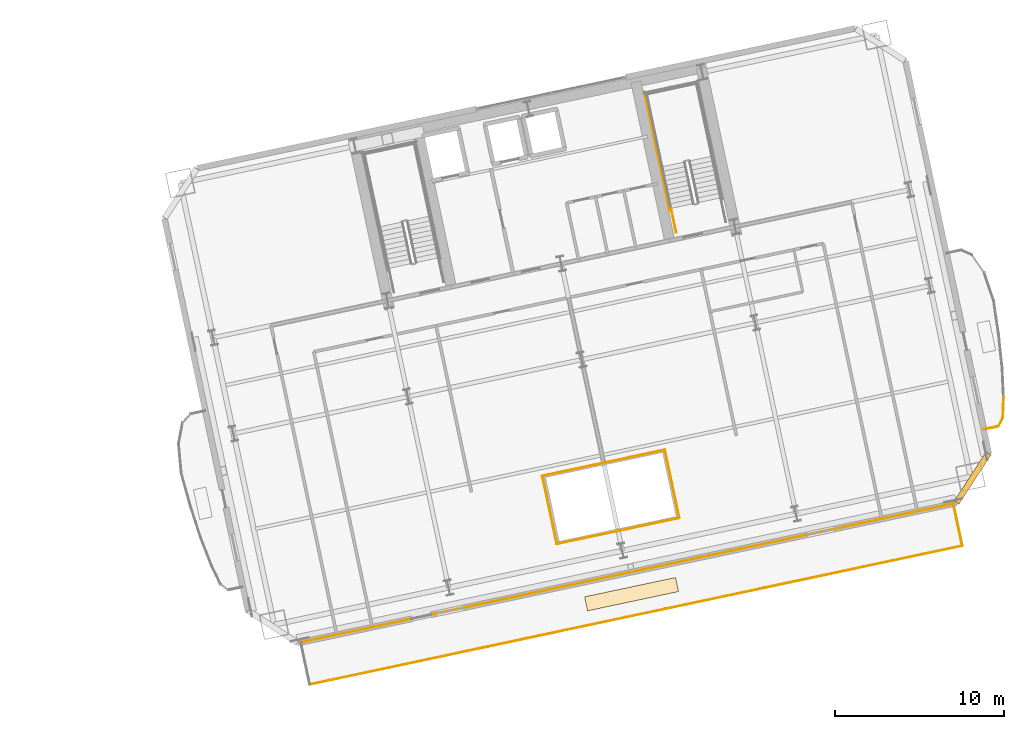
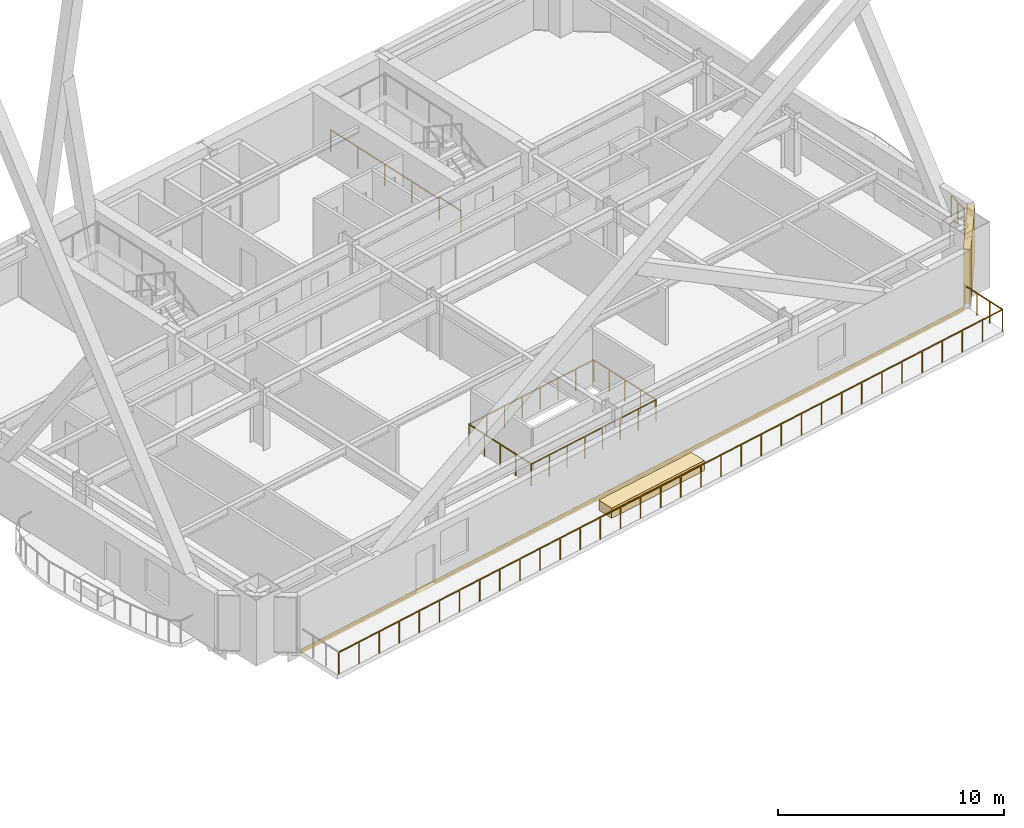
# One storey, part 21 of 22: 11 railings, 2 coverings, 1 shading device.
"""IFC4 building model written with IfcOpenShell, lengths in metres."""

import ifcopenshell
import ifcopenshell.guid

model = None  # the IFC model being written
_history = None  # IfcOwnerHistory: only IFC2X3 demands one
_inside = {}  # id of a spatial element -> (the spatial element, [elements in it])
_under = {}  # id of a project, library or spatial element -> (it, [spatial elements below it])
_declared = {}  # id of a project -> (the project, [libraries it declares])
_typed = {}  # id of a type object -> (the type object, [elements of that type])
_made_of = {}  # id of a material, layer set ... -> (it, [elements and type objects made of it])


def new_model(schema):
    """Start an empty IFC model of exactly this schema.

    Asked for "IFC4X3", IfcOpenShell would pick the latest addendum, in which some entities
    have other attributes; the version numbers below select the first issue.
    IFC2X3 requires an IfcOwnerHistory on every rooted entity: one is made here for all.
    """
    global model, _history
    if schema == "IFC4X3":
        model = ifcopenshell.file(schema_version=(4, 3, 0, 0))
    else:
        model = ifcopenshell.file(schema=schema)
    _inside.clear()
    _under.clear()
    _declared.clear()
    _typed.clear()
    _made_of.clear()
    _history = None
    if model.schema == "IFC2X3":
        org = make("IfcOrganization", Name="unknown")
        user = make(
            "IfcPersonAndOrganization",
            ThePerson=make("IfcPerson", FamilyName="unknown"),
            TheOrganization=org,
        )
        app = make(
            "IfcApplication",
            ApplicationDeveloper=org,
            Version="unknown",
            ApplicationFullName="unknown",
            ApplicationIdentifier="unknown",
        )
        _history = make(
            "IfcOwnerHistory",
            OwningUser=user,
            OwningApplication=app,
            ChangeAction="ADDED",
            CreationDate=0,
        )
    return model


def make(cls, **values):
    """One entity of the class cls with the attributes given. An attribute that is None is left unset."""
    return model.create_entity(
        cls, **{name: value for name, value in values.items() if value is not None}
    )


def rooted(cls, **values):
    """An entity with a GlobalId (a new one), such as an element, a storey or a relation."""
    return make(cls, GlobalId=ifcopenshell.guid.new(), OwnerHistory=_history, **values)


def si_unit(unit_type, name, prefix=None):
    """IfcSIUnit, for example si_unit("LENGTHUNIT", "METRE", prefix="MILLI")."""
    return make("IfcSIUnit", UnitType=unit_type, Prefix=prefix, Name=name)


def assignment(units):
    """IfcUnitAssignment: the units of a project."""
    return None if units is None else make("IfcUnitAssignment", Units=units)


def point(xyz):
    """IfcCartesianPoint."""
    return None if xyz is None else make("IfcCartesianPoint", Coordinates=xyz)


def direction(xyz):
    """IfcDirection."""
    return None if xyz is None else make("IfcDirection", DirectionRatios=xyz)


def frame(location, z_axis=None, x_axis=None):
    """IfcAxis2Placement3D, a coordinate frame: its origin and axes. An axis left out is left unset."""
    return make(
        "IfcAxis2Placement3D",
        Location=point(location),
        Axis=direction(z_axis),
        RefDirection=direction(x_axis),
    )


def frame_2d(location, x_axis=None):
    """IfcAxis2Placement2D, a coordinate frame in the plane: its origin and x axis."""
    return make(
        "IfcAxis2Placement2D", Location=point(location), RefDirection=direction(x_axis)
    )


def origin():
    """The frame at (0, 0, 0) with its axes left unset."""
    return frame((0.0, 0.0, 0.0))


def origin_2d():
    """The frame at (0, 0) in the plane with its x axis left unset."""
    return frame_2d((0.0, 0.0))


def place(relative_to, where):
    """IfcLocalPlacement: puts the frame where relative to a parent placement (None: the world)."""
    return make(
        "IfcLocalPlacement", PlacementRelTo=relative_to, RelativePlacement=where
    )


def context(
    kind, dimensions, precision=None, world=None, true_north=None, identifier=None
):
    """IfcGeometricRepresentationContext, for example the 3D "Model" context."""
    return make(
        "IfcGeometricRepresentationContext",
        ContextIdentifier=identifier,
        ContextType=kind,
        CoordinateSpaceDimension=dimensions,
        Precision=precision,
        WorldCoordinateSystem=world,
        TrueNorth=true_north,
    )


def subcontext(parent, identifier, kind, view, scale=None):
    """IfcGeometricRepresentationSubContext, for example "Body" below "Model"."""
    return make(
        "IfcGeometricRepresentationSubContext",
        ContextIdentifier=identifier,
        ContextType=kind,
        ParentContext=parent,
        TargetScale=scale,
        TargetView=view,
    )


def project(units=None, contexts=None):
    """IfcProject with its units and contexts."""
    return rooted(
        "IfcProject",
        Name="project",
        RepresentationContexts=contexts,
        UnitsInContext=assignment(units),
    )


def spatial(cls, under=None, at=None, **own):
    """A site, building, storey or space (cls), placed at a placement, below another one or the project."""
    s = rooted(cls, ObjectPlacement=at, **own)
    if under is not None:
        _under.setdefault(under.id(), (under, []))[1].append(s)
    return s


def profile(cls, at=None, kind="AREA", **sizes):
    """A parametric profile (cls). Its sizes go by their IFC names, for example OverallWidth=200.0."""
    return make(cls, ProfileType=kind, Position=at, **sizes)


def rectangle(**sizes):
    """IfcRectangleProfileDef."""
    return profile("IfcRectangleProfileDef", **sizes)


def extrude(swept, where, along, depth):
    """IfcExtrudedAreaSolid: the profile swept, set in the frame where, extruded along a direction by depth."""
    return make(
        "IfcExtrudedAreaSolid",
        SweptArea=swept,
        Position=where,
        ExtrudedDirection=direction(along),
        Depth=depth,
    )


def shape(context_of_items, identifier, shape_type, items):
    """IfcShapeRepresentation: the items that make up one representation, for example the "Body"."""
    return make(
        "IfcShapeRepresentation",
        ContextOfItems=context_of_items,
        RepresentationIdentifier=identifier,
        RepresentationType=shape_type,
        Items=items,
    )


def material(Name=None, Category=None):
    """IfcMaterial."""
    return make("IfcMaterial", Name=Name, Category=Category)


def layer(
    of_material, thickness, ventilated=None, Name=None, Category=None, Priority=None
):
    """IfcMaterialLayer: one layer of a wall or slab, of a material (None: an air gap)."""
    return make(
        "IfcMaterialLayer",
        Material=of_material,
        LayerThickness=thickness,
        IsVentilated=ventilated,
        Name=Name,
        Category=Category,
        Priority=Priority,
    )


def layer_set(layers, Name=None):
    """IfcMaterialLayerSet."""
    return make("IfcMaterialLayerSet", MaterialLayers=layers, LayerSetName=Name)


def made_of(thing, what):
    """Note that an element or type object is made of a material, layer set ...; save() writes the relation."""
    if what is not None:
        _made_of.setdefault(what.id(), (what, []))[1].append(thing)
    return thing


def type_object(cls, material=None, **own):
    """A type object (cls), such as IfcWallType, which elements share."""
    return made_of(rooted(cls, **own), material)


def element(
    cls,
    number,
    at=None,
    inside=None,
    cuts=None,
    type_object=None,
    material=None,
    context=None,
    identifier="Body",
    shape_type=None,
    held_by="IfcProductDefinitionShape",
    body=None,
    shapes=None,
    **own,
):
    """One element of the class cls, such as IfcWall. Its Tag is "e" and its number.

    at: its placement. inside: the storey or other place that contains it. cuts: it is an
    opening in that element (IfcRelVoidsElement). A single representation is given by context,
    identifier, shape_type and body (its items); several are given by shapes. held_by: the class
    of the entity that holds the representations. save() writes the other relations.
    """
    e = rooted(cls, Tag="e%d" % number, ObjectPlacement=at, **own)
    if body is not None:
        shapes = [shape(context, identifier, shape_type, body)]
    if shapes is not None:
        e.Representation = make(held_by, Representations=shapes)
    if inside is not None:
        _inside.setdefault(inside.id(), (inside, []))[1].append(e)
    if cuts is not None:
        rooted(
            "IfcRelVoidsElement", RelatingBuildingElement=cuts, RelatedOpeningElement=e
        )
    if type_object is not None:
        _typed.setdefault(type_object.id(), (type_object, []))[1].append(e)
    return made_of(e, material)


def aggregate(whole, parts):
    """IfcRelAggregates: a whole, such as a stair, and the parts it consists of."""
    return rooted("IfcRelAggregates", RelatingObject=whole, RelatedObjects=parts)


def save(model, path):
    """Write the relations noted so far, then the file.

    IfcRelAggregates (storeys below a building ...), IfcRelContainedInSpatialStructure (elements
    in a storey), IfcRelDefinesByType, IfcRelAssociatesMaterial and IfcRelDeclares: one each for
    every whole, place, type object, material and project.
    """
    for whole, parts in _under.values():
        aggregate(whole, parts)
    for where, things in _inside.values():
        rooted(
            "IfcRelContainedInSpatialStructure",
            RelatedElements=things,
            RelatingStructure=where,
        )
    for kind, things in _typed.values():
        rooted("IfcRelDefinesByType", RelatedObjects=things, RelatingType=kind)
    for what, things in _made_of.values():
        rooted("IfcRelAssociatesMaterial", RelatedObjects=things, RelatingMaterial=what)
    for by, libraries in _declared.values():
        rooted("IfcRelDeclares", RelatingContext=by, RelatedDefinitions=libraries)
    model.write(path)


model = new_model("IFC4")

# Units and contexts
model_context = context("Model", 3, precision=1e-05, world=origin(), true_north=direction((0.0, 1.0)))
body_context = subcontext(model_context, "Body", "Model", "MODEL_VIEW")
ifc_project = project(units=[si_unit("LENGTHUNIT", "METRE"), si_unit("AREAUNIT", "SQUARE_METRE"), si_unit("VOLUMEUNIT", "CUBIC_METRE"), si_unit("PLANEANGLEUNIT", "RADIAN"), si_unit("MASSUNIT", "GRAM", prefix="KILO")], contexts=[model_context])

# Site, building, storey
site_placement = place(None, origin())
site = spatial("IfcSite", under=ifc_project, at=site_placement, CompositionType="ELEMENT")
building_placement = place(site_placement, origin())
building = spatial("IfcBuilding", under=site, at=building_placement, Name="Haevon Station Towers", CompositionType="ELEMENT")
storey_placement = place(building_placement, frame((0.0, 0.0, 70.199951171875)))
storey = spatial("IfcBuildingStorey", under=building, at=storey_placement, Name="L18", CompositionType="ELEMENT", Elevation=70.199951171875)

# Railings
ifc_material_1 = material(Name="Steel S355", Category="steel")
railing_type_1 = type_object("IfcRailingType", Name="BAL-ATR1200", PredefinedType="BALUSTRADE", material=ifc_material_1)
railing_1_placement = place(storey_placement, frame((108.758544921875, 23.050048828125, 0.0)))
element("IfcRailing", 1, at=railing_1_placement, inside=storey, type_object=railing_type_1, Name="L18 Atrium Void Balustrade 1", PredefinedType="BALUSTRADE", context=body_context, shape_type="SweptSolid", body=[
    extrude(rectangle(XDim=0.048095703125, YDim=0.048095703125, at=origin_2d()), frame((0.0, 0.0, 1.17578125), z_axis=(0.978148717371, 0.207906437384, 0.0), x_axis=(-0.207906437384, 0.978148717371, 0.0)), (0.0, 0.0, 1.0), 7.40966796875),
    extrude(rectangle(XDim=0.0419921875, YDim=0.0419921875, at=origin_2d()), origin(), (0.0, 0.0, 1.0), 1.15185546875),
    extrude(rectangle(XDim=0.0419921875, YDim=0.0419921875, at=origin_2d()), frame((1.035400390625, 0.219970703125, 0.0)), (0.0, 0.0, 1.0), 1.15185546875),
    extrude(rectangle(XDim=0.0419921875, YDim=0.0419921875, at=origin_2d()), frame((2.07080078125, 0.440185546875, 0.0)), (0.0, 0.0, 1.0), 1.15185546875),
    extrude(rectangle(XDim=0.0419921875, YDim=0.0419921875, at=origin_2d()), frame((3.106201171875, 0.66015625, 0.0)), (0.0, 0.0, 1.0), 1.15185546875),
    extrude(rectangle(XDim=0.0419921875, YDim=0.0419921875, at=origin_2d()), frame((4.1416015625, 0.88037109375, 0.0)), (0.0, 0.0, 1.0), 1.15185546875),
    extrude(rectangle(XDim=0.0419921875, YDim=0.0419921875, at=origin_2d()), frame((5.177001953125, 1.100341796875, 0.0)), (0.0, 0.0, 1.0), 1.15185546875),
    extrude(rectangle(XDim=0.0419921875, YDim=0.0419921875, at=origin_2d()), frame((6.21240234375, 1.320556640625, 0.0)), (0.0, 0.0, 1.0), 1.15185546875),
    extrude(rectangle(XDim=0.0419921875, YDim=0.0419921875, at=origin_2d()), frame((7.247802734375, 1.54052734375, 0.0)), (0.0, 0.0, 1.0), 1.15185546875),
])
railing_2_placement = place(storey_placement, frame((116.00634765625, 24.590576171875, 0.0)))
element("IfcRailing", 2, at=railing_2_placement, inside=storey, type_object=railing_type_1, Name="L18 Atrium Void Balustrade 2", PredefinedType="BALUSTRADE", context=body_context, shape_type="SweptSolid", body=[
    extrude(rectangle(XDim=0.048095703125, YDim=0.048095703125, at=origin_2d()), frame((0.0, 0.0, 1.17578125), z_axis=(-0.207928976297, 0.978143926432, 0.0), x_axis=(-0.978143926432, -0.207928976297, 0.0)), (0.0, 0.0, 1.0), 4.11669921875),
    extrude(rectangle(XDim=0.0419921875, YDim=0.0419921875, at=origin_2d()), origin(), (0.0, 0.0, 1.0), 1.15185546875),
    extrude(rectangle(XDim=0.0419921875, YDim=0.0419921875, at=origin_2d()), frame((-0.2138671875, 1.006591796875, 0.0)), (0.0, 0.0, 1.0), 1.15185546875),
    extrude(rectangle(XDim=0.0419921875, YDim=0.0419921875, at=origin_2d()), frame((-0.427978515625, 2.01318359375, 0.0)), (0.0, 0.0, 1.0), 1.15185546875),
    extrude(rectangle(XDim=0.0419921875, YDim=0.0419921875, at=origin_2d()), frame((-0.64208984375, 3.02001953125, 0.0)), (0.0, 0.0, 1.0), 1.15185546875),
    extrude(rectangle(XDim=0.0419921875, YDim=0.0419921875, at=origin_2d()), frame((-0.85595703125, 4.026611328125, 0.0)), (0.0, 0.0, 1.0), 1.15185546875),
])
railing_3_placement = place(storey_placement, frame((115.150390625, 28.6171875, 0.0)))
element("IfcRailing", 3, at=railing_3_placement, inside=storey, type_object=railing_type_1, Name="L18 Atrium Void Balustrade 3", PredefinedType="BALUSTRADE", context=body_context, shape_type="SweptSolid", body=[
    extrude(rectangle(XDim=0.048095703125, YDim=0.048095703125, at=origin_2d()), frame((0.0, 0.0, 1.17578125), z_axis=(-0.978148717371, -0.207906437384, 0.0), x_axis=(0.207906437384, -0.978148717371, 0.0)), (0.0, 0.0, 1.0), 7.40966796875),
    extrude(rectangle(XDim=0.0419921875, YDim=0.0419921875, at=origin_2d()), origin(), (0.0, 0.0, 1.0), 1.15185546875),
    extrude(rectangle(XDim=0.0419921875, YDim=0.0419921875, at=origin_2d()), frame((-1.035400390625, -0.219970703125, 0.0)), (0.0, 0.0, 1.0), 1.15185546875),
    extrude(rectangle(XDim=0.0419921875, YDim=0.0419921875, at=origin_2d()), frame((-2.07080078125, -0.440185546875, 0.0)), (0.0, 0.0, 1.0), 1.15185546875),
    extrude(rectangle(XDim=0.0419921875, YDim=0.0419921875, at=origin_2d()), frame((-3.106201171875, -0.66015625, 0.0)), (0.0, 0.0, 1.0), 1.15185546875),
    extrude(rectangle(XDim=0.0419921875, YDim=0.0419921875, at=origin_2d()), frame((-4.1416015625, -0.88037109375, 0.0)), (0.0, 0.0, 1.0), 1.15185546875),
    extrude(rectangle(XDim=0.0419921875, YDim=0.0419921875, at=origin_2d()), frame((-5.177001953125, -1.100341796875, 0.0)), (0.0, 0.0, 1.0), 1.15185546875),
    extrude(rectangle(XDim=0.0419921875, YDim=0.0419921875, at=origin_2d()), frame((-6.21240234375, -1.320556640625, 0.0)), (0.0, 0.0, 1.0), 1.15185546875),
    extrude(rectangle(XDim=0.0419921875, YDim=0.0419921875, at=origin_2d()), frame((-7.247802734375, -1.54052734375, 0.0)), (0.0, 0.0, 1.0), 1.15185546875),
])
railing_4_placement = place(storey_placement, frame((107.902587890625, 27.07666015625, 0.0)))
element("IfcRailing", 4, at=railing_4_placement, inside=storey, type_object=railing_type_1, Name="L18 Atrium Void Balustrade 4", PredefinedType="BALUSTRADE", context=body_context, shape_type="SweptSolid", body=[
    extrude(rectangle(XDim=0.048095703125, YDim=0.048095703125, at=origin_2d()), frame((0.0, 0.0, 1.17578125), z_axis=(0.207928976297, -0.978143926432, 0.0), x_axis=(0.978143926432, 0.207928976297, 0.0)), (0.0, 0.0, 1.0), 4.11669921875),
    extrude(rectangle(XDim=0.0419921875, YDim=0.0419921875, at=origin_2d()), origin(), (0.0, 0.0, 1.0), 1.15185546875),
    extrude(rectangle(XDim=0.0419921875, YDim=0.0419921875, at=origin_2d()), frame((0.2138671875, -1.006591796875, 0.0)), (0.0, 0.0, 1.0), 1.15185546875),
    extrude(rectangle(XDim=0.0419921875, YDim=0.0419921875, at=origin_2d()), frame((0.427978515625, -2.01318359375, 0.0)), (0.0, 0.0, 1.0), 1.15185546875),
    extrude(rectangle(XDim=0.0419921875, YDim=0.0419921875, at=origin_2d()), frame((0.64208984375, -3.02001953125, 0.0)), (0.0, 0.0, 1.0), 1.15185546875),
    extrude(rectangle(XDim=0.0419921875, YDim=0.0419921875, at=origin_2d()), frame((0.85595703125, -4.026611328125, 0.0)), (0.0, 0.0, 1.0), 1.15185546875),
])

# Covering
ifc_material_2 = material(Name="Anodised aluminium 6063-T6", Category="aluminium")
ifc_layer_1 = layer(ifc_material_2, 0.0400390625)
ifc_layer_set_1 = layer_set([ifc_layer_1], Name="Anodised aluminium 6063-T6")
covering_type_1 = type_object("IfcCoveringType", Name="COV-CLAD40", PredefinedType="CLADDING", material=ifc_layer_set_1)
covering_1_placement = place(storey_placement, frame((112.910888671875, 21.334228515625, -0.23974609375), z_axis=(0.0, 0.0, 1.0), x_axis=(0.978147600734, 0.207911690818, 0.0)))
element("IfcCovering", 5, at=covering_1_placement, inside=storey, type_object=covering_type_1, Name="Tower 2 L18 Spandrel Fascia Cladding", PredefinedType="CLADDING", context=body_context, shape_type="SweptSolid", body=[
    extrude(rectangle(XDim=39.39990234375, YDim=0.0400390625, at=origin_2d()), origin(), (0.0, 0.0, 1.0), 0.239990234375),
])

# Railings
railing_type_2 = type_object("IfcRailingType", Name="GRD-EXT1200", PredefinedType="GUARDRAIL", material=ifc_material_1)
railing_5_placement = place(storey_placement, frame((94.150634765625, 14.744873046875, 0.0)))
element("IfcRailing", 6, at=railing_5_placement, inside=storey, type_object=railing_type_2, Name="L18 Perimeter Guardrail 1", PredefinedType="GUARDRAIL", context=body_context, shape_type="SweptSolid", body=[
    extrude(rectangle(XDim=0.048095703125, YDim=0.048095703125, at=origin_2d()), frame((0.0, 0.0, 1.17578125), z_axis=(0.978148560943, 0.207907173337, 0.0), x_axis=(-0.207907173337, 0.978148560943, 0.0)), (0.0, 0.0, 1.0), 39.4404296875),
    extrude(rectangle(XDim=0.0419921875, YDim=0.0419921875, at=origin_2d()), origin(), (0.0, 0.0, 1.0), 1.15185546875),
    extrude(rectangle(XDim=0.0419921875, YDim=0.0419921875, at=origin_2d()), frame((1.1689453125, 0.24853515625, 0.0)), (0.0, 0.0, 1.0), 1.15185546875),
    extrude(rectangle(XDim=0.0419921875, YDim=0.0419921875, at=origin_2d()), frame((2.338134765625, 0.4970703125, 0.0)), (0.0, 0.0, 1.0), 1.15185546875),
    extrude(rectangle(XDim=0.0419921875, YDim=0.0419921875, at=origin_2d()), frame((3.507080078125, 0.745361328125, 0.0)), (0.0, 0.0, 1.0), 1.15185546875),
    extrude(rectangle(XDim=0.0419921875, YDim=0.0419921875, at=origin_2d()), frame((4.67626953125, 0.993896484375, 0.0)), (0.0, 0.0, 1.0), 1.15185546875),
    extrude(rectangle(XDim=0.0419921875, YDim=0.0419921875, at=origin_2d()), frame((5.84521484375, 1.242431640625, 0.0)), (0.0, 0.0, 1.0), 1.15185546875),
    extrude(rectangle(XDim=0.0419921875, YDim=0.0419921875, at=origin_2d()), frame((7.014404296875, 1.490966796875, 0.0)), (0.0, 0.0, 1.0), 1.15185546875),
    extrude(rectangle(XDim=0.0419921875, YDim=0.0419921875, at=origin_2d()), frame((8.183349609375, 1.739501953125, 0.0)), (0.0, 0.0, 1.0), 1.15185546875),
    extrude(rectangle(XDim=0.0419921875, YDim=0.0419921875, at=origin_2d()), frame((9.352294921875, 1.98779296875, 0.0)), (0.0, 0.0, 1.0), 1.15185546875),
    extrude(rectangle(XDim=0.0419921875, YDim=0.0419921875, at=origin_2d()), frame((10.521484375, 2.236328125, 0.0)), (0.0, 0.0, 1.0), 1.15185546875),
    extrude(rectangle(XDim=0.0419921875, YDim=0.0419921875, at=origin_2d()), frame((11.6904296875, 2.48486328125, 0.0)), (0.0, 0.0, 1.0), 1.15185546875),
    extrude(rectangle(XDim=0.0419921875, YDim=0.0419921875, at=origin_2d()), frame((12.859619140625, 2.7333984375, 0.0)), (0.0, 0.0, 1.0), 1.15185546875),
    extrude(rectangle(XDim=0.0419921875, YDim=0.0419921875, at=origin_2d()), frame((14.028564453125, 2.981689453125, 0.0)), (0.0, 0.0, 1.0), 1.15185546875),
    extrude(rectangle(XDim=0.0419921875, YDim=0.0419921875, at=origin_2d()), frame((15.19775390625, 3.230224609375, 0.0)), (0.0, 0.0, 1.0), 1.15185546875),
    extrude(rectangle(XDim=0.0419921875, YDim=0.0419921875, at=origin_2d()), frame((16.36669921875, 3.478759765625, 0.0)), (0.0, 0.0, 1.0), 1.15185546875),
    extrude(rectangle(XDim=0.0419921875, YDim=0.0419921875, at=origin_2d()), frame((17.53564453125, 3.727294921875, 0.0)), (0.0, 0.0, 1.0), 1.15185546875),
    extrude(rectangle(XDim=0.0419921875, YDim=0.0419921875, at=origin_2d()), frame((18.704833984375, 3.975830078125, 0.0)), (0.0, 0.0, 1.0), 1.15185546875),
    extrude(rectangle(XDim=0.0419921875, YDim=0.0419921875, at=origin_2d()), frame((19.873779296875, 4.22412109375, 0.0)), (0.0, 0.0, 1.0), 1.15185546875),
    extrude(rectangle(XDim=0.0419921875, YDim=0.0419921875, at=origin_2d()), frame((21.04296875, 4.47265625, 0.0)), (0.0, 0.0, 1.0), 1.15185546875),
    extrude(rectangle(XDim=0.0419921875, YDim=0.0419921875, at=origin_2d()), frame((22.2119140625, 4.72119140625, 0.0)), (0.0, 0.0, 1.0), 1.15185546875),
    extrude(rectangle(XDim=0.0419921875, YDim=0.0419921875, at=origin_2d()), frame((23.380859375, 4.9697265625, 0.0)), (0.0, 0.0, 1.0), 1.15185546875),
    extrude(rectangle(XDim=0.0419921875, YDim=0.0419921875, at=origin_2d()), frame((24.550048828125, 5.21826171875, 0.0)), (0.0, 0.0, 1.0), 1.15185546875),
    extrude(rectangle(XDim=0.0419921875, YDim=0.0419921875, at=origin_2d()), frame((25.718994140625, 5.466552734375, 0.0)), (0.0, 0.0, 1.0), 1.15185546875),
    extrude(rectangle(XDim=0.0419921875, YDim=0.0419921875, at=origin_2d()), frame((26.88818359375, 5.715087890625, 0.0)), (0.0, 0.0, 1.0), 1.15185546875),
    extrude(rectangle(XDim=0.0419921875, YDim=0.0419921875, at=origin_2d()), frame((28.05712890625, 5.963623046875, 0.0)), (0.0, 0.0, 1.0), 1.15185546875),
    extrude(rectangle(XDim=0.0419921875, YDim=0.0419921875, at=origin_2d()), frame((29.226318359375, 6.212158203125, 0.0)), (0.0, 0.0, 1.0), 1.15185546875),
    extrude(rectangle(XDim=0.0419921875, YDim=0.0419921875, at=origin_2d()), frame((30.395263671875, 6.46044921875, 0.0)), (0.0, 0.0, 1.0), 1.15185546875),
    extrude(rectangle(XDim=0.0419921875, YDim=0.0419921875, at=origin_2d()), frame((31.564208984375, 6.708984375, 0.0)), (0.0, 0.0, 1.0), 1.15185546875),
    extrude(rectangle(XDim=0.0419921875, YDim=0.0419921875, at=origin_2d()), frame((32.7333984375, 6.95751953125, 0.0)), (0.0, 0.0, 1.0), 1.15185546875),
    extrude(rectangle(XDim=0.0419921875, YDim=0.0419921875, at=origin_2d()), frame((33.90234375, 7.2060546875, 0.0)), (0.0, 0.0, 1.0), 1.15185546875),
    extrude(rectangle(XDim=0.0419921875, YDim=0.0419921875, at=origin_2d()), frame((35.071533203125, 7.45458984375, 0.0)), (0.0, 0.0, 1.0), 1.15185546875),
    extrude(rectangle(XDim=0.0419921875, YDim=0.0419921875, at=origin_2d()), frame((36.240478515625, 7.702880859375, 0.0)), (0.0, 0.0, 1.0), 1.15185546875),
    extrude(rectangle(XDim=0.0419921875, YDim=0.0419921875, at=origin_2d()), frame((37.40966796875, 7.951416015625, 0.0)), (0.0, 0.0, 1.0), 1.15185546875),
    extrude(rectangle(XDim=0.0419921875, YDim=0.0419921875, at=origin_2d()), frame((38.57861328125, 8.199951171875, 0.0)), (0.0, 0.0, 1.0), 1.15185546875),
])
railing_6_placement = place(storey_placement, frame((132.729248046875, 22.94482421875, 0.0)))
element("IfcRailing", 7, at=railing_6_placement, inside=storey, type_object=railing_type_2, Name="L18 Perimeter Guardrail 2", PredefinedType="GUARDRAIL", context=body_context, shape_type="SweptSolid", body=[
    extrude(rectangle(XDim=0.048095703125, YDim=0.048095703125, at=origin_2d()), frame((0.0, 0.0, 1.17578125), z_axis=(-0.207937083148, 0.978142203083, 0.0), x_axis=(-0.978142203083, -0.207937083148, 0.0)), (0.0, 0.0, 1.0), 2.534912109375),
    extrude(rectangle(XDim=0.0419921875, YDim=0.0419921875, at=origin_2d()), origin(), (0.0, 0.0, 1.0), 1.15185546875),
    extrude(rectangle(XDim=0.0419921875, YDim=0.0419921875, at=origin_2d()), frame((-0.17578125, 0.826416015625, 0.0)), (0.0, 0.0, 1.0), 1.15185546875),
    extrude(rectangle(XDim=0.0419921875, YDim=0.0419921875, at=origin_2d()), frame((-0.351318359375, 1.653076171875, 0.0)), (0.0, 0.0, 1.0), 1.15185546875),
    extrude(rectangle(XDim=0.0419921875, YDim=0.0419921875, at=origin_2d()), frame((-0.527099609375, 2.4794921875, 0.0)), (0.0, 0.0, 1.0), 1.15185546875),
])
railing_7_placement = place(storey_placement, frame((134.027587890625, 29.838134765625, 0.0)))
element("IfcRailing", 8, at=railing_7_placement, inside=storey, type_object=railing_type_2, Name="L18 Perimeter Guardrail 1", PredefinedType="GUARDRAIL", context=body_context, shape_type="SweptSolid", body=[
    extrude(rectangle(XDim=0.048095703125, YDim=0.048095703125, at=origin_2d()), frame((0.0, 0.0, 1.17578125), z_axis=(0.977637760669, 0.210296003085, 0.0), x_axis=(-0.210296003085, 0.977637760669, 0.0)), (0.0, 0.0, 1.0), 0.86962890625),
    extrude(rectangle(XDim=0.0419921875, YDim=0.0419921875, at=origin_2d()), origin(), (0.0, 0.0, 1.0), 1.15185546875),
    extrude(rectangle(XDim=0.0419921875, YDim=0.0419921875, at=origin_2d()), frame((0.85009765625, 0.182861328125, 0.0)), (0.0, 0.0, 1.0), 1.15185546875),
])
railing_8_placement = place(storey_placement, frame((134.877685546875, 30.02099609375, 0.0)))
element("IfcRailing", 9, at=railing_8_placement, inside=storey, type_object=railing_type_2, Name="L18 Perimeter Guardrail 2", PredefinedType="GUARDRAIL", context=body_context, shape_type="SweptSolid", body=[
    extrude(rectangle(XDim=0.048095703125, YDim=0.048095703125, at=origin_2d()), frame((0.0, 0.0, 1.17578125), z_axis=(0.470328768762, 0.882491274334, 0.0), x_axis=(-0.882491274334, 0.470328768762, 0.0)), (0.0, 0.0, 1.0), 0.537353515625),
    extrude(rectangle(XDim=0.0419921875, YDim=0.0419921875, at=origin_2d()), origin(), (0.0, 0.0, 1.0), 1.15185546875),
    extrude(rectangle(XDim=0.0419921875, YDim=0.0419921875, at=origin_2d()), frame((0.252685546875, 0.47412109375, 0.0)), (0.0, 0.0, 1.0), 1.15185546875),
])
railing_9_placement = place(storey_placement, frame((135.13037109375, 30.4951171875, 0.0)))
element("IfcRailing", 10, at=railing_9_placement, inside=storey, type_object=railing_type_2, Name="L18 Perimeter Guardrail 3", PredefinedType="GUARDRAIL", context=body_context, shape_type="SweptSolid", body=[
    extrude(rectangle(XDim=0.048095703125, YDim=0.048095703125, at=origin_2d()), frame((0.0, 0.0, 1.17578125), z_axis=(0.036420445432, 0.999336555498, 0.0), x_axis=(-0.999336555498, 0.036420445432, 0.0)), (0.0, 0.0, 1.0), 1.20654296875),
    extrude(rectangle(XDim=0.0419921875, YDim=0.0419921875, at=origin_2d()), origin(), (0.0, 0.0, 1.0), 1.15185546875),
    extrude(rectangle(XDim=0.0419921875, YDim=0.0419921875, at=origin_2d()), frame((0.02197265625, 0.60302734375, 0.0)), (0.0, 0.0, 1.0), 1.15185546875),
    extrude(rectangle(XDim=0.0419921875, YDim=0.0419921875, at=origin_2d()), frame((0.0439453125, 1.205810546875, 0.0)), (0.0, 0.0, 1.0), 1.15185546875),
])
railing_type_3 = type_object("IfcRailingType", Name="GRD-STR1200", PredefinedType="GUARDRAIL", material=ifc_material_1)
railing_10_placement = place(storey_placement, frame((115.816162109375, 41.478271484375, 0.0)))
element("IfcRailing", 11, at=railing_10_placement, inside=storey, type_object=railing_type_3, Name="L18 ST4 Stair Guard 9", PredefinedType="GUARDRAIL", context=body_context, shape_type="SweptSolid", body=[
    extrude(rectangle(XDim=0.048095703125, YDim=0.048095703125, at=origin_2d()), frame((0.0, 0.0, 1.17578125), z_axis=(-0.207919161079, 0.978146012851, 0.0), x_axis=(-0.978146012851, -0.207919161079, 0.0)), (0.0, 0.0, 1.0), 1.4501953125),
    extrude(rectangle(XDim=0.0419921875, YDim=0.0419921875, at=origin_2d()), origin(), (0.0, 0.0, 1.0), 1.15185546875),
    extrude(rectangle(XDim=0.0419921875, YDim=0.0419921875, at=origin_2d()), frame((-0.301513671875, 1.41845703125, 0.0)), (0.0, 0.0, 1.0), 1.15185546875),
])
railing_11_placement = place(storey_placement, frame((115.4375, 42.778076171875, 0.0)))
element("IfcRailing", 12, at=railing_11_placement, inside=storey, type_object=railing_type_3, Name="L18 ST4 Stair Guard 11", PredefinedType="GUARDRAIL", context=body_context, shape_type="SweptSolid", body=[
    extrude(rectangle(XDim=0.048095703125, YDim=0.048095703125, at=origin_2d()), frame((0.0, 0.0, 1.17578125), z_axis=(-0.207882442208, 0.978153817261, 0.0), x_axis=(-0.978153817261, -0.207882442208, 0.0)), (0.0, 0.0, 1.0), 7.14990234375),
    extrude(rectangle(XDim=0.0419921875, YDim=0.0419921875, at=origin_2d()), origin(), (0.0, 0.0, 1.0), 1.15185546875),
    extrude(rectangle(XDim=0.0419921875, YDim=0.0419921875, at=origin_2d()), frame((-0.37158203125, 1.74853515625, 0.0)), (0.0, 0.0, 1.0), 1.15185546875),
    extrude(rectangle(XDim=0.0419921875, YDim=0.0419921875, at=origin_2d()), frame((-0.7431640625, 3.496826171875, 0.0)), (0.0, 0.0, 1.0), 1.15185546875),
    extrude(rectangle(XDim=0.0419921875, YDim=0.0419921875, at=origin_2d()), frame((-1.11474609375, 5.2451171875, 0.0)), (0.0, 0.0, 1.0), 1.15185546875),
    extrude(rectangle(XDim=0.0419921875, YDim=0.0419921875, at=origin_2d()), frame((-1.486328125, 6.99365234375, 0.0)), (0.0, 0.0, 1.0), 1.15185546875),
])

# Covering
ifc_material_3 = material(Name="Architectural planter GRC", Category="concrete")
ifc_layer_2 = layer(ifc_material_3, 0.550048828125)
ifc_layer_set_2 = layer_set([ifc_layer_2], Name="Architectural planter GRC")
covering_type_2 = type_object("IfcCoveringType", Name="PLN-GRC550", PredefinedType="MOLDING", material=ifc_layer_set_2)
covering_2_placement = place(storey_placement, frame((113.176513671875, 20.08447265625, 0.0), z_axis=(0.0, 0.0, 1.0), x_axis=(0.978147600734, 0.207911690818, 0.0)))
element("IfcCovering", 13, at=covering_2_placement, inside=storey, type_object=covering_type_2, Name="Tower 2 L18 Sky-Garden GRC PLANTER", PredefinedType="MOLDING", context=body_context, shape_type="SweptSolid", body=[
    extrude(rectangle(XDim=5.5, YDim=0.85009765625, at=origin_2d()), origin(), (0.0, 0.0, 1.0), 0.550048828125),
])

# Shading device
ifc_layer_3 = layer(ifc_material_2, 0.139892578125)
ifc_layer_set_3 = layer_set([ifc_layer_3], Name="Anodised aluminium 6063-T6")
shading_device_type = type_object("IfcShadingDeviceType", Name="SHD-WIND-BAFFLE", PredefinedType="SHUTTER", material=ifc_layer_set_3)
shading_device_placement = place(storey_placement, frame((133.3388671875, 26.9541015625, 0.05029296875), z_axis=(0.0, 0.0, 1.0), x_axis=(-0.544638910449, -0.838670648839, 0.0)))
element("IfcShadingDevice", 14, at=shading_device_placement, inside=storey, type_object=shading_device_type, Name="Tower 2 L18 Wind-Corner Aerofoil Baffle SEC", PredefinedType="SHUTTER", context=body_context, shape_type="SweptSolid", body=[
    extrude(rectangle(XDim=3.435546875, YDim=0.340087890625, at=origin_2d()), origin(), (0.0, 0.0, 1.0), 2.929931640625),
])

save(model, "model.ifc")
